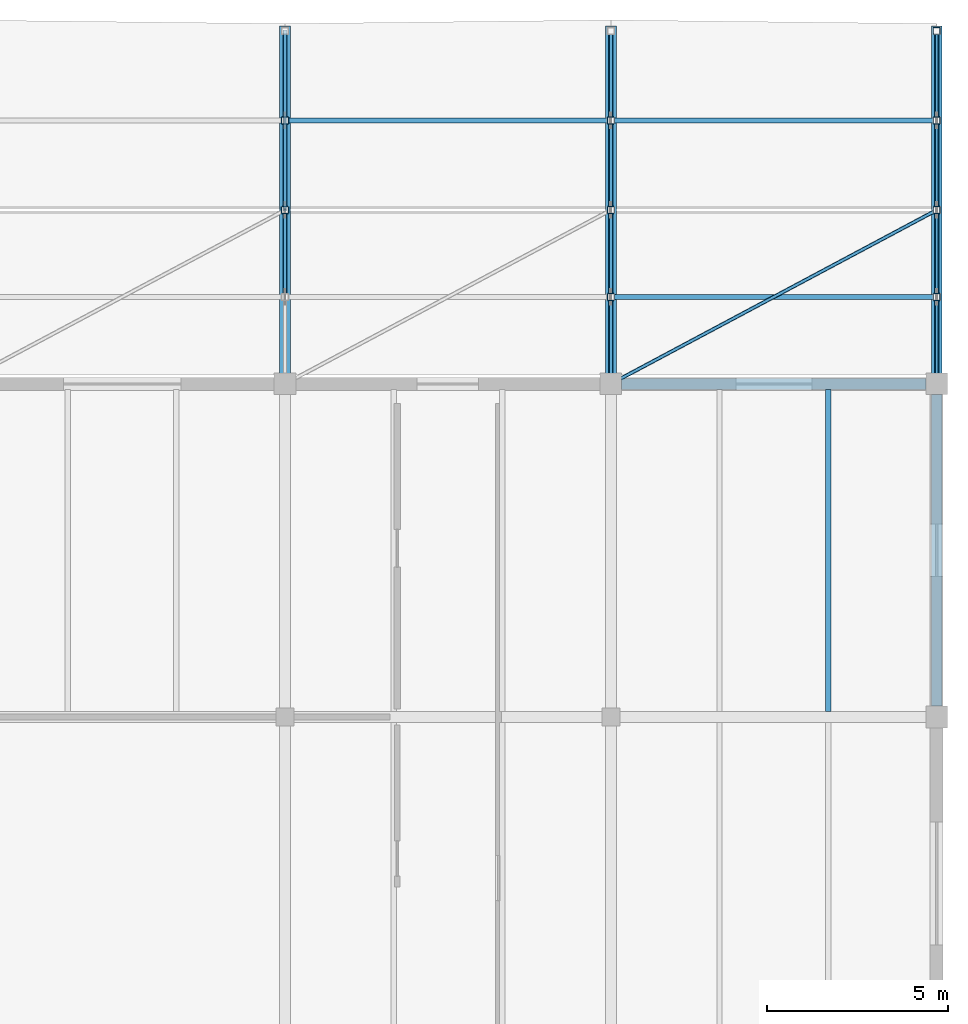
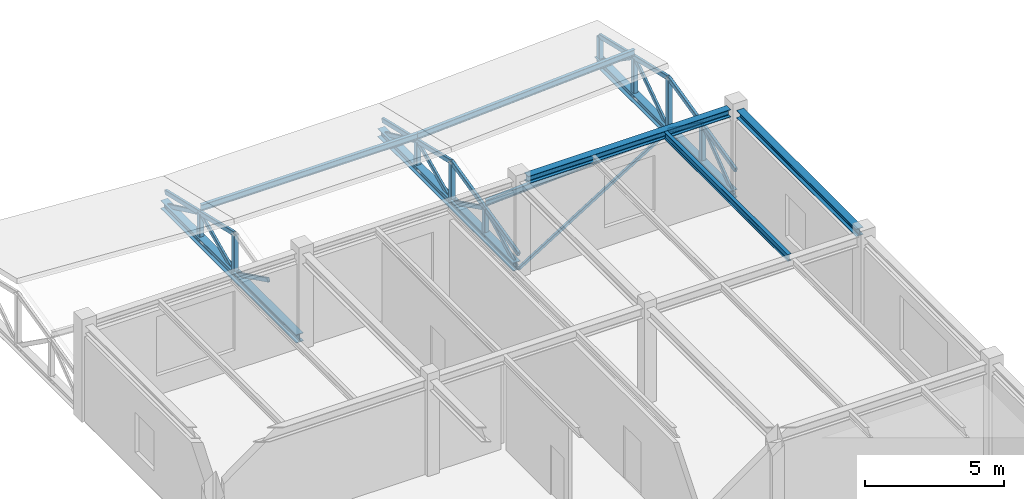
# One storey, part 26 of 55: 29 members, 6 beams.
"""IFC4 building model written with IfcOpenShell, lengths in metres."""

from ifc_helpers import new_model, si_unit, direction, frame, origin, origin_2d, place, context, subcontext, project, spatial, hollow_rectangle, i_section, extrude, material, material_profile, profile_set, type_object, element, save


model = new_model("IFC4")

# Units and contexts
model_context = context("Model", 3, precision=1e-05, world=origin(), true_north=direction((0.0, 1.0)))
body_context = subcontext(model_context, "Body", "Model", "MODEL_VIEW")
ifc_project = project(units=[si_unit("LENGTHUNIT", "METRE"), si_unit("AREAUNIT", "SQUARE_METRE"), si_unit("VOLUMEUNIT", "CUBIC_METRE"), si_unit("PLANEANGLEUNIT", "RADIAN"), si_unit("MASSUNIT", "GRAM", prefix="KILO")], contexts=[model_context])

# Site, building, storey
site_placement = place(None, origin())
site = spatial("IfcSite", under=ifc_project, at=site_placement, CompositionType="ELEMENT")
building_placement = place(site_placement, origin())
building = spatial("IfcBuilding", under=site, at=building_placement, Name="Bozkorgan Art Gallery", CompositionType="ELEMENT")
storey_placement = place(building_placement, frame((0.0, 0.0, 15.0)))
storey = spatial("IfcBuildingStorey", under=building, at=storey_placement, Name="L03", CompositionType="ELEMENT", Elevation=15.0)

# Beams
ifc_material = material(Name="Steel S355J2", Category="steel")
ifc_material_profile_1 = material_profile(ifc_material, i_section(OverallWidth=0.14990234375, OverallDepth=0.300048828125, WebThickness=0.007080078125, FlangeThickness=0.0107421875, FilletRadius=0.014892578125, at=origin_2d()), Name="IPE 300")
ifc_profile_set_1 = profile_set([ifc_material_profile_1], Name="Steel S355J2")
beam_type_1 = type_object("IfcBeamType", Name="BEAM-JS-88", PredefinedType="JOIST", material=ifc_profile_set_1)
beam_1_placement = place(storey_placement, frame((161.0, 93.75, 4.030029296875), z_axis=(0.0, 1.0, 0.0), x_axis=(-1.0, 0.0, 0.0)))
element("IfcBeam", 1, at=beam_1_placement, inside=storey, type_object=beam_type_1, Name="V5 L03 secondary joist (155-164, 93.6-102.8) #2", PredefinedType="JOIST", context=body_context, shape_type="SweptSolid", body=[
    extrude(i_section(OverallWidth=0.14990234375, OverallDepth=0.300048828125, WebThickness=0.007080078125, FlangeThickness=0.0107421875, FilletRadius=0.014892578125, at=origin_2d()), origin(), (0.0, 0.0, 1.0), 8.89990234375),
])
ifc_material_profile_2 = material_profile(ifc_material, i_section(OverallWidth=0.300048828125, OverallDepth=0.330078125, WebThickness=0.009521484375, FlangeThickness=0.0166015625, FilletRadius=0.027099609375, at=origin_2d()), Name="HEA 340")
ifc_profile_set_2 = profile_set([ifc_material_profile_2], Name="Steel S355J2")
beam_type_2 = type_object("IfcBeamType", Name="BEAM-SP-91", PredefinedType="SPANDREL", material=ifc_profile_set_2)
beam_2_placement = place(storey_placement, frame((155.300048828125, 102.800048828125, 4.014892578125), z_axis=(1.0, 0.0, 0.0), x_axis=(0.0, 1.0, 0.0)))
element("IfcBeam", 2, at=beam_2_placement, inside=storey, type_object=beam_type_2, Name="V5 L03 spandrel X (155-164, 102.8)", PredefinedType="SPANDREL", context=body_context, shape_type="SweptSolid", body=[
    extrude(i_section(OverallWidth=0.300048828125, OverallDepth=0.330078125, WebThickness=0.009521484375, FlangeThickness=0.0166015625, FilletRadius=0.027099609375, at=origin_2d()), origin(), (0.0, 0.0, 1.0), 8.39990234375),
])
beam_3_placement = place(storey_placement, frame((164.0, 93.89990234375, 4.014892578125), z_axis=(0.0, 1.0, 0.0), x_axis=(-1.0, 0.0, 0.0)))
element("IfcBeam", 3, at=beam_3_placement, inside=storey, type_object=beam_type_2, Name="V5 L03 spandrel Y (164, 93.6-102.8)", PredefinedType="SPANDREL", context=body_context, shape_type="SweptSolid", body=[
    extrude(i_section(OverallWidth=0.300048828125, OverallDepth=0.330078125, WebThickness=0.009521484375, FlangeThickness=0.0166015625, FilletRadius=0.027099609375, at=origin_2d()), origin(), (0.0, 0.0, 1.0), 8.60009765625),
])
ifc_material_profile_3 = material_profile(ifc_material, i_section(OverallWidth=0.300048828125, OverallDepth=0.360107421875, WebThickness=0.012451171875, FlangeThickness=0.0224609375, FilletRadius=0.027099609375, at=origin_2d()), Name="HEB 360")
ifc_profile_set_3 = profile_set([ifc_material_profile_3], Name="Steel S355J2")
beam_type_3 = type_object("IfcBeamType", Name="BEAM-TB-47", PredefinedType="BEAM", material=ifc_profile_set_3)
for number, where, z_axis, x_axis, name in (
    (4, (146.0, 102.949951171875, 0.179931640625), (0.0, 1.0, 0.0), (-1.0, 0.0, 0.0), "ROOF-V5-STEP3 roof truss 2 bottom chord"),
    (5, (155.0, 102.949951171875, 0.179931640625), (0.0, 1.0, 0.0), (-1.0, 0.0, 0.0), "ROOF-V5-STEP3 roof truss 3 bottom chord"),
    (6, (164.0, 102.949951171875, 0.179931640625), (0.0, 1.0, 0.0), (-1.0, 0.0, 0.0), "ROOF-V5-STEP3 roof truss 4 bottom chord"),
):
    element("IfcBeam", number, at=place(storey_placement, frame(where, z_axis=z_axis, x_axis=x_axis)), inside=storey, type_object=beam_type_3, Name=name, PredefinedType="BEAM", context=body_context, shape_type="SweptSolid", body=[
        extrude(i_section(OverallWidth=0.300048828125, OverallDepth=0.360107421875, WebThickness=0.012451171875, FlangeThickness=0.0224609375, FilletRadius=0.027099609375, at=origin_2d()), origin(), (0.0, 0.0, 1.0), 9.739990234375),
    ])

# Members
ifc_material_profile_4 = material_profile(ifc_material, i_section(OverallWidth=0.135009765625, OverallDepth=0.27001953125, WebThickness=0.006591796875, FlangeThickness=0.01025390625, FilletRadius=0.014892578125, at=origin_2d()), Name="IPE 270")
ifc_profile_set_4 = profile_set([ifc_material_profile_4], Name="Steel S355J2")
member_type_1 = type_object("IfcMemberType", Name="MEMBER-PR-57", PredefinedType="PURLIN", material=ifc_profile_set_4)
member_1_placement = place(storey_placement, frame((146.0, 110.074951171875, 1.58447265625), z_axis=(1.0, 0.0, 0.0), x_axis=(0.0, 1.0, 0.0)))
element("IfcMember", 7, at=member_1_placement, inside=storey, type_object=member_type_1, Name="ROOF-V5-STEP3 roof purlin 2N", PredefinedType="PURLIN", context=body_context, shape_type="SweptSolid", body=[
    extrude(i_section(OverallWidth=0.135009765625, OverallDepth=0.27001953125, WebThickness=0.006591796875, FlangeThickness=0.01025390625, FilletRadius=0.014892578125, at=origin_2d()), origin(), (0.0, 0.0, 1.0), 9.0),
])
for number, where, z_axis, x_axis, name in (
    (8, (155.0, 105.199951171875, 1.60205078125), (0.998287793766, 0.0, 0.058493425416), (0.0, 1.0, 0.0), "ROOF-V5-STEP3 roof purlin 3S"),
    (9, (155.0, 110.074951171875, 1.58447265625), (0.998287793766, 0.0, 0.058493425416), (0.0, 1.0, 0.0), "ROOF-V5-STEP3 roof purlin 3N"),
):
    element("IfcMember", number, at=place(storey_placement, frame(where, z_axis=z_axis, x_axis=x_axis)), inside=storey, type_object=member_type_1, Name=name, PredefinedType="PURLIN", context=body_context, shape_type="SweptSolid", body=[
        extrude(i_section(OverallWidth=0.135009765625, OverallDepth=0.27001953125, WebThickness=0.006591796875, FlangeThickness=0.01025390625, FilletRadius=0.014892578125, at=origin_2d()), origin(), (0.0, 0.0, 1.0), 9.015380859375),
    ])
ifc_material_profile_5 = material_profile(ifc_material, hollow_rectangle(XDim=0.1201171875, YDim=0.199951171875, WallThickness=0.008056640625, InnerFilletRadius=0.011962890625, OuterFilletRadius=0.02001953125, at=origin_2d()), Name="RHS 200x120x8")
ifc_profile_set_5 = profile_set([ifc_material_profile_5], Name="Steel S355J2")
member_type_2 = type_object("IfcMemberType", Name="MEMBER-TC-48", PredefinedType="CHORD", material=ifc_profile_set_5)
member_2_placement = place(storey_placement, frame((146.0, 107.60009765625, 1.929931640625), z_axis=(0.0, 0.973573119919, -0.228375524456), x_axis=(-1.0, 0.0, 0.0)))
element("IfcMember", 10, at=member_2_placement, inside=storey, type_object=member_type_2, Name="ROOF-V5-STEP3 roof truss 2 north top chord", PredefinedType="CHORD", context=body_context, shape_type="SweptSolid", body=[
    extrude(hollow_rectangle(XDim=0.1201171875, YDim=0.199951171875, WallThickness=0.008056640625, InnerFilletRadius=0.011962890625, OuterFilletRadius=0.02001953125, at=origin_2d()), origin(), (0.0, 0.0, 1.0), 5.084228515625),
])
member_3_placement = place(storey_placement, frame((155.0, 102.800048828125, 0.80419921875), z_axis=(0.0, 0.973583811685, 0.228329940272), x_axis=(-1.0, 0.0, 0.0)))
element("IfcMember", 11, at=member_3_placement, inside=storey, type_object=member_type_2, Name="ROOF-V5-STEP3 roof truss 3 south top chord", PredefinedType="CHORD", context=body_context, shape_type="SweptSolid", body=[
    extrude(hollow_rectangle(XDim=0.1201171875, YDim=0.199951171875, WallThickness=0.008056640625, InnerFilletRadius=0.011962890625, OuterFilletRadius=0.02001953125, at=origin_2d()), origin(), (0.0, 0.0, 1.0), 4.93017578125),
])
member_4_placement = place(storey_placement, frame((155.0, 107.60009765625, 1.929931640625), z_axis=(0.0, 0.973573119919, -0.228375524456), x_axis=(-1.0, 0.0, 0.0)))
element("IfcMember", 12, at=member_4_placement, inside=storey, type_object=member_type_2, Name="ROOF-V5-STEP3 roof truss 3 north top chord", PredefinedType="CHORD", context=body_context, shape_type="SweptSolid", body=[
    extrude(hollow_rectangle(XDim=0.1201171875, YDim=0.199951171875, WallThickness=0.008056640625, InnerFilletRadius=0.011962890625, OuterFilletRadius=0.02001953125, at=origin_2d()), origin(), (0.0, 0.0, 1.0), 5.084228515625),
])
member_5_placement = place(storey_placement, frame((164.0, 102.800048828125, 1.33154296875), z_axis=(0.0, 0.973583811685, 0.228329940272), x_axis=(-1.0, 0.0, 0.0)))
element("IfcMember", 13, at=member_5_placement, inside=storey, type_object=member_type_2, Name="ROOF-V5-STEP3 roof truss 4 south top chord", PredefinedType="CHORD", context=body_context, shape_type="SweptSolid", body=[
    extrude(hollow_rectangle(XDim=0.1201171875, YDim=0.199951171875, WallThickness=0.008056640625, InnerFilletRadius=0.011962890625, OuterFilletRadius=0.02001953125, at=origin_2d()), origin(), (0.0, 0.0, 1.0), 4.93017578125),
])
member_6_placement = place(storey_placement, frame((164.0, 107.60009765625, 2.457275390625), z_axis=(0.0, 0.973583795397, -0.228330009722), x_axis=(-1.0, 0.0, 0.0)))
element("IfcMember", 14, at=member_6_placement, inside=storey, type_object=member_type_2, Name="ROOF-V5-STEP3 roof truss 4 north top chord", PredefinedType="CHORD", context=body_context, shape_type="SweptSolid", body=[
    extrude(hollow_rectangle(XDim=0.1201171875, YDim=0.199951171875, WallThickness=0.008056640625, InnerFilletRadius=0.011962890625, OuterFilletRadius=0.02001953125, at=origin_2d()), origin(), (0.0, 0.0, 1.0), 5.084228515625),
])
ifc_material_profile_6 = material_profile(ifc_material, hollow_rectangle(XDim=0.199951171875, YDim=0.199951171875, WallThickness=0.010009765625, InnerFilletRadius=0.014892578125, OuterFilletRadius=0.02490234375, at=origin_2d()), Name="SHS 200x200x10")
ifc_profile_set_6 = profile_set([ifc_material_profile_6], Name="Steel S355J2")
member_type_3 = type_object("IfcMemberType", Name="MEMBER-TP-32", PredefinedType="POST", material=ifc_profile_set_6)
member_7_placement = place(storey_placement, frame((146.0, 107.60009765625, 0.179931640625), z_axis=(0.0, 0.0, 1.0), x_axis=(1.0, 0.0, 0.0)))
element("IfcMember", 15, at=member_7_placement, inside=storey, type_object=member_type_3, Name="ROOF-V5-STEP3 roof truss 2 post 2", PredefinedType="POST", context=body_context, shape_type="SweptSolid", body=[
    extrude(hollow_rectangle(XDim=0.199951171875, YDim=0.199951171875, WallThickness=0.010009765625, InnerFilletRadius=0.014892578125, OuterFilletRadius=0.02490234375, at=origin_2d()), origin(), (0.0, 0.0, 1.0), 1.75),
])
member_8_placement = place(storey_placement, frame((146.0, 110.074951171875, 0.179931640625), z_axis=(0.0, 0.0, 1.0), x_axis=(1.0, 0.0, 0.0)))
element("IfcMember", 16, at=member_8_placement, inside=storey, type_object=member_type_3, Name="ROOF-V5-STEP3 roof truss 2 post 3", PredefinedType="POST", context=body_context, shape_type="SweptSolid", body=[
    extrude(hollow_rectangle(XDim=0.199951171875, YDim=0.199951171875, WallThickness=0.010009765625, InnerFilletRadius=0.014892578125, OuterFilletRadius=0.02490234375, at=origin_2d()), origin(), (0.0, 0.0, 1.0), 1.16943359375),
])
member_9_placement = place(storey_placement, frame((155.0, 105.199951171875, 0.179931640625), z_axis=(0.0, 0.0, 1.0), x_axis=(1.0, 0.0, 0.0)))
element("IfcMember", 17, at=member_9_placement, inside=storey, type_object=member_type_3, Name="ROOF-V5-STEP3 roof truss 3 post 1", PredefinedType="POST", context=body_context, shape_type="SweptSolid", body=[
    extrude(hollow_rectangle(XDim=0.199951171875, YDim=0.199951171875, WallThickness=0.010009765625, InnerFilletRadius=0.014892578125, OuterFilletRadius=0.02490234375, at=origin_2d()), origin(), (0.0, 0.0, 1.0), 1.18701171875),
])
member_10_placement = place(storey_placement, frame((155.0, 107.60009765625, 0.179931640625), z_axis=(0.0, 0.0, 1.0), x_axis=(1.0, 0.0, 0.0)))
element("IfcMember", 18, at=member_10_placement, inside=storey, type_object=member_type_3, Name="ROOF-V5-STEP3 roof truss 3 post 2", PredefinedType="POST", context=body_context, shape_type="SweptSolid", body=[
    extrude(hollow_rectangle(XDim=0.199951171875, YDim=0.199951171875, WallThickness=0.010009765625, InnerFilletRadius=0.014892578125, OuterFilletRadius=0.02490234375, at=origin_2d()), origin(), (0.0, 0.0, 1.0), 1.75),
])
member_11_placement = place(storey_placement, frame((155.0, 110.074951171875, 0.179931640625), z_axis=(0.0, 0.0, 1.0), x_axis=(1.0, 0.0, 0.0)))
element("IfcMember", 19, at=member_11_placement, inside=storey, type_object=member_type_3, Name="ROOF-V5-STEP3 roof truss 3 post 3", PredefinedType="POST", context=body_context, shape_type="SweptSolid", body=[
    extrude(hollow_rectangle(XDim=0.199951171875, YDim=0.199951171875, WallThickness=0.010009765625, InnerFilletRadius=0.014892578125, OuterFilletRadius=0.02490234375, at=origin_2d()), origin(), (0.0, 0.0, 1.0), 1.16943359375),
])
member_12_placement = place(storey_placement, frame((164.0, 105.199951171875, 0.179931640625), z_axis=(0.0, 0.0, 1.0), x_axis=(1.0, 0.0, 0.0)))
element("IfcMember", 20, at=member_12_placement, inside=storey, type_object=member_type_3, Name="ROOF-V5-STEP3 roof truss 4 post 1", PredefinedType="POST", context=body_context, shape_type="SweptSolid", body=[
    extrude(hollow_rectangle(XDim=0.199951171875, YDim=0.199951171875, WallThickness=0.010009765625, InnerFilletRadius=0.014892578125, OuterFilletRadius=0.02490234375, at=origin_2d()), origin(), (0.0, 0.0, 1.0), 1.71435546875),
])
member_13_placement = place(storey_placement, frame((164.0, 107.60009765625, 0.179931640625), z_axis=(0.0, 0.0, 1.0), x_axis=(1.0, 0.0, 0.0)))
element("IfcMember", 21, at=member_13_placement, inside=storey, type_object=member_type_3, Name="ROOF-V5-STEP3 roof truss 4 post 2", PredefinedType="POST", context=body_context, shape_type="SweptSolid", body=[
    extrude(hollow_rectangle(XDim=0.199951171875, YDim=0.199951171875, WallThickness=0.010009765625, InnerFilletRadius=0.014892578125, OuterFilletRadius=0.02490234375, at=origin_2d()), origin(), (0.0, 0.0, 1.0), 2.27734375),
])
member_14_placement = place(storey_placement, frame((164.0, 110.074951171875, 0.179931640625), z_axis=(0.0, 0.0, 1.0), x_axis=(1.0, 0.0, 0.0)))
element("IfcMember", 22, at=member_14_placement, inside=storey, type_object=member_type_3, Name="ROOF-V5-STEP3 roof truss 4 post 3", PredefinedType="POST", context=body_context, shape_type="SweptSolid", body=[
    extrude(hollow_rectangle(XDim=0.199951171875, YDim=0.199951171875, WallThickness=0.010009765625, InnerFilletRadius=0.014892578125, OuterFilletRadius=0.02490234375, at=origin_2d()), origin(), (0.0, 0.0, 1.0), 1.69677734375),
])
member_15_placement = place(storey_placement, frame((164.0, 112.550048828125, 0.179931640625), z_axis=(0.0, 0.0, 1.0), x_axis=(1.0, 0.0, 0.0)))
element("IfcMember", 23, at=member_15_placement, inside=storey, type_object=member_type_3, Name="ROOF-V5-STEP3 roof truss 4 post 4", PredefinedType="POST", context=body_context, shape_type="SweptSolid", body=[
    extrude(hollow_rectangle(XDim=0.199951171875, YDim=0.199951171875, WallThickness=0.010009765625, InnerFilletRadius=0.014892578125, OuterFilletRadius=0.02490234375, at=origin_2d()), origin(), (0.0, 0.0, 1.0), 1.116455078125),
])
ifc_material_profile_7 = material_profile(ifc_material, hollow_rectangle(XDim=0.10009765625, YDim=0.179931640625, WallThickness=0.008056640625, InnerFilletRadius=0.011962890625, OuterFilletRadius=0.02001953125, at=origin_2d()), Name="RHS 180x100x8")
ifc_profile_set_7 = profile_set([ifc_material_profile_7], Name="Steel S355J2")
member_type_4 = type_object("IfcMemberType", Name="MEMBER-TW-22", PredefinedType="BRACE", material=ifc_profile_set_7)
member_16_placement = place(storey_placement, frame((146.0, 105.199951171875, 1.366943359375), z_axis=(0.0, 0.896369884733, -0.44330692499), x_axis=(-1.0, 0.0, 0.0)))
element("IfcMember", 24, at=member_16_placement, inside=storey, type_object=member_type_4, Name="ROOF-V5-STEP3 roof truss 2 diagonal 2", PredefinedType="BRACE", context=body_context, shape_type="SweptSolid", body=[
    extrude(hollow_rectangle(XDim=0.10009765625, YDim=0.179931640625, WallThickness=0.008056640625, InnerFilletRadius=0.011962890625, OuterFilletRadius=0.02001953125, at=origin_2d()), origin(), (0.0, 0.0, 1.0), 2.677734375),
])
member_17_placement = place(storey_placement, frame((146.0, 107.60009765625, 0.179931640625), z_axis=(0.0, 0.904142432107, 0.427231158113), x_axis=(-1.0, 0.0, 0.0)))
element("IfcMember", 25, at=member_17_placement, inside=storey, type_object=member_type_4, Name="ROOF-V5-STEP3 roof truss 2 diagonal 3", PredefinedType="BRACE", context=body_context, shape_type="SweptSolid", body=[
    extrude(hollow_rectangle(XDim=0.10009765625, YDim=0.179931640625, WallThickness=0.008056640625, InnerFilletRadius=0.011962890625, OuterFilletRadius=0.02001953125, at=origin_2d()), origin(), (0.0, 0.0, 1.0), 2.7373046875),
])
member_18_placement = place(storey_placement, frame((146.0, 110.074951171875, 1.349365234375), z_axis=(0.0, 0.904158710095, -0.427196707571), x_axis=(-1.0, 0.0, 0.0)))
element("IfcMember", 26, at=member_18_placement, inside=storey, type_object=member_type_4, Name="ROOF-V5-STEP3 roof truss 2 diagonal 4", PredefinedType="BRACE", context=body_context, shape_type="SweptSolid", body=[
    extrude(hollow_rectangle(XDim=0.10009765625, YDim=0.179931640625, WallThickness=0.008056640625, InnerFilletRadius=0.011962890625, OuterFilletRadius=0.02001953125, at=origin_2d()), origin(), (0.0, 0.0, 1.0), 2.737548828125),
])
member_19_placement = place(storey_placement, frame((155.0, 102.949951171875, 0.179931640625), z_axis=(0.0, 0.884463972224, 0.466608488819), x_axis=(-1.0, 0.0, 0.0)))
element("IfcMember", 27, at=member_19_placement, inside=storey, type_object=member_type_4, Name="ROOF-V5-STEP3 roof truss 3 diagonal 1", PredefinedType="BRACE", context=body_context, shape_type="SweptSolid", body=[
    extrude(hollow_rectangle(XDim=0.10009765625, YDim=0.179931640625, WallThickness=0.008056640625, InnerFilletRadius=0.011962890625, OuterFilletRadius=0.02001953125, at=origin_2d()), origin(), (0.0, 0.0, 1.0), 2.5439453125),
])
member_20_placement = place(storey_placement, frame((155.0, 105.199951171875, 1.366943359375), z_axis=(0.0, 0.896369884733, -0.44330692499), x_axis=(-1.0, 0.0, 0.0)))
element("IfcMember", 28, at=member_20_placement, inside=storey, type_object=member_type_4, Name="ROOF-V5-STEP3 roof truss 3 diagonal 2", PredefinedType="BRACE", context=body_context, shape_type="SweptSolid", body=[
    extrude(hollow_rectangle(XDim=0.10009765625, YDim=0.179931640625, WallThickness=0.008056640625, InnerFilletRadius=0.011962890625, OuterFilletRadius=0.02001953125, at=origin_2d()), origin(), (0.0, 0.0, 1.0), 2.677734375),
])
member_21_placement = place(storey_placement, frame((155.0, 107.60009765625, 0.179931640625), z_axis=(0.0, 0.904142432107, 0.427231158113), x_axis=(-1.0, 0.0, 0.0)))
element("IfcMember", 29, at=member_21_placement, inside=storey, type_object=member_type_4, Name="ROOF-V5-STEP3 roof truss 3 diagonal 3", PredefinedType="BRACE", context=body_context, shape_type="SweptSolid", body=[
    extrude(hollow_rectangle(XDim=0.10009765625, YDim=0.179931640625, WallThickness=0.008056640625, InnerFilletRadius=0.011962890625, OuterFilletRadius=0.02001953125, at=origin_2d()), origin(), (0.0, 0.0, 1.0), 2.7373046875),
])
member_22_placement = place(storey_placement, frame((155.0, 110.074951171875, 1.349365234375), z_axis=(0.0, 0.904158710095, -0.427196707571), x_axis=(-1.0, 0.0, 0.0)))
element("IfcMember", 30, at=member_22_placement, inside=storey, type_object=member_type_4, Name="ROOF-V5-STEP3 roof truss 3 diagonal 4", PredefinedType="BRACE", context=body_context, shape_type="SweptSolid", body=[
    extrude(hollow_rectangle(XDim=0.10009765625, YDim=0.179931640625, WallThickness=0.008056640625, InnerFilletRadius=0.011962890625, OuterFilletRadius=0.02001953125, at=origin_2d()), origin(), (0.0, 0.0, 1.0), 2.737548828125),
])
member_23_placement = place(storey_placement, frame((164.0, 102.949951171875, 0.179931640625), z_axis=(0.0, 0.795419832328, 0.606058817557), x_axis=(-1.0, 0.0, 0.0)))
element("IfcMember", 31, at=member_23_placement, inside=storey, type_object=member_type_4, Name="ROOF-V5-STEP3 roof truss 4 diagonal 1", PredefinedType="BRACE", context=body_context, shape_type="SweptSolid", body=[
    extrude(hollow_rectangle(XDim=0.10009765625, YDim=0.179931640625, WallThickness=0.008056640625, InnerFilletRadius=0.011962890625, OuterFilletRadius=0.02001953125, at=origin_2d()), origin(), (0.0, 0.0, 1.0), 2.82861328125),
])
member_24_placement = place(storey_placement, frame((164.0, 105.199951171875, 1.894287109375), z_axis=(0.0, 0.813739063924, -0.581230363836), x_axis=(-1.0, 0.0, 0.0)))
element("IfcMember", 32, at=member_24_placement, inside=storey, type_object=member_type_4, Name="ROOF-V5-STEP3 roof truss 4 diagonal 2", PredefinedType="BRACE", context=body_context, shape_type="SweptSolid", body=[
    extrude(hollow_rectangle(XDim=0.10009765625, YDim=0.179931640625, WallThickness=0.008056640625, InnerFilletRadius=0.011962890625, OuterFilletRadius=0.02001953125, at=origin_2d()), origin(), (0.0, 0.0, 1.0), 2.949462890625),
])
member_25_placement = place(storey_placement, frame((164.0, 107.60009765625, 0.179931640625), z_axis=(0.0, 0.824770050354, 0.565468269701), x_axis=(-1.0, 0.0, 0.0)))
element("IfcMember", 33, at=member_25_placement, inside=storey, type_object=member_type_4, Name="ROOF-V5-STEP3 roof truss 4 diagonal 3", PredefinedType="BRACE", context=body_context, shape_type="SweptSolid", body=[
    extrude(hollow_rectangle(XDim=0.10009765625, YDim=0.179931640625, WallThickness=0.008056640625, InnerFilletRadius=0.011962890625, OuterFilletRadius=0.02001953125, at=origin_2d()), origin(), (0.0, 0.0, 1.0), 3.000732421875),
])
member_26_placement = place(storey_placement, frame((164.0, 110.074951171875, 1.876708984375), z_axis=(0.0, 0.824796063699, -0.565430325775), x_axis=(-1.0, 0.0, 0.0)))
element("IfcMember", 34, at=member_26_placement, inside=storey, type_object=member_type_4, Name="ROOF-V5-STEP3 roof truss 4 diagonal 4", PredefinedType="BRACE", context=body_context, shape_type="SweptSolid", body=[
    extrude(hollow_rectangle(XDim=0.10009765625, YDim=0.179931640625, WallThickness=0.008056640625, InnerFilletRadius=0.011962890625, OuterFilletRadius=0.02001953125, at=origin_2d()), origin(), (0.0, 0.0, 1.0), 3.0009765625),
])
ifc_material_profile_8 = material_profile(ifc_material, hollow_rectangle(XDim=0.10009765625, YDim=0.14990234375, WallThickness=0.008056640625, InnerFilletRadius=0.011962890625, OuterFilletRadius=0.02001953125, at=origin_2d()), Name="RHS 150x100x8")
ifc_profile_set_8 = profile_set([ifc_material_profile_8], Name="Steel S355J2")
member_type_5 = type_object("IfcMemberType", Name="MEMBER-WB-10", PredefinedType="BRACE", material=ifc_profile_set_8)
member_27_placement = place(storey_placement, frame((155.0, 102.800048828125, 0.179931640625), z_axis=(0.882350953462, 0.47059196224, 0.0), x_axis=(-0.47059196224, 0.882350953462, 0.0)))
element("IfcMember", 35, at=member_27_placement, inside=storey, type_object=member_type_5, Name="ROOF-V5-STEP3 roof diaphragm wind brace 3", PredefinedType="BRACE", context=body_context, shape_type="SweptSolid", body=[
    extrude(hollow_rectangle(XDim=0.10009765625, YDim=0.14990234375, WallThickness=0.008056640625, InnerFilletRadius=0.011962890625, OuterFilletRadius=0.02001953125, at=origin_2d()), origin(), (0.0, 0.0, 1.0), 10.199951171875),
])

save(model, "model.ifc")
